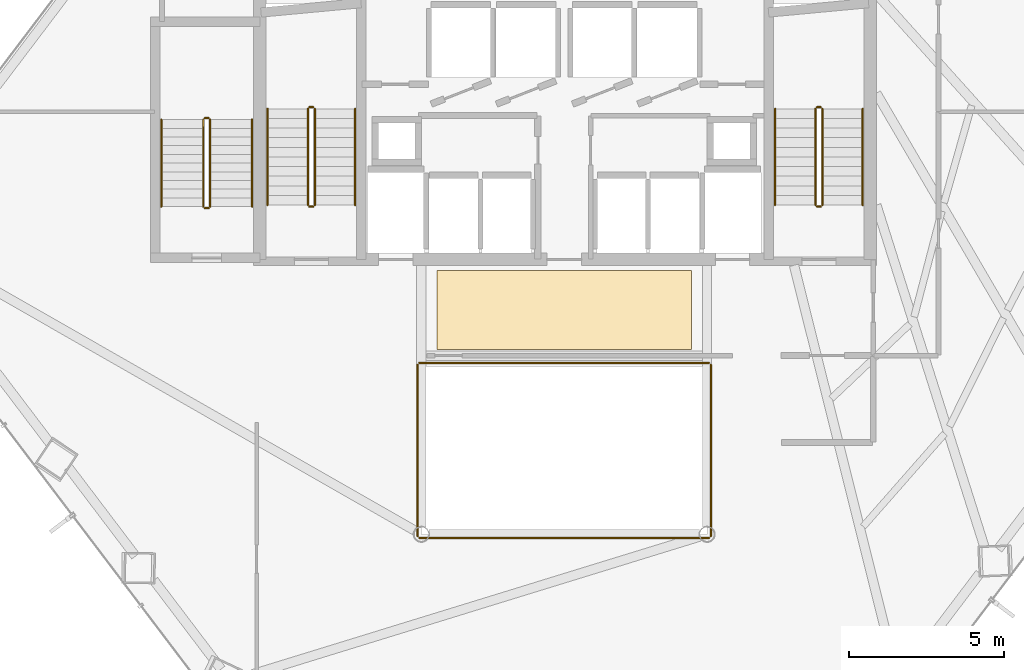
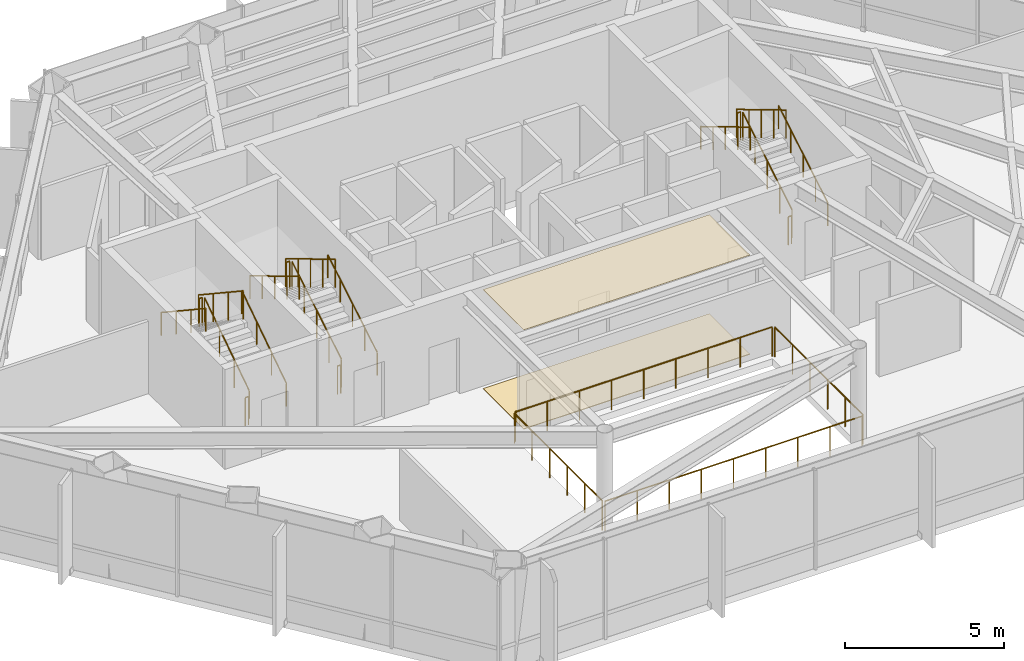
# One storey, part 26 of 26: 22 railings, 2 coverings.
"""IFC4 building model written with IfcOpenShell, lengths in metres."""

import ifcopenshell
import ifcopenshell.guid

model = None  # the IFC model being written
_history = None  # IfcOwnerHistory: only IFC2X3 demands one
_inside = {}  # id of a spatial element -> (the spatial element, [elements in it])
_under = {}  # id of a project, library or spatial element -> (it, [spatial elements below it])
_declared = {}  # id of a project -> (the project, [libraries it declares])
_typed = {}  # id of a type object -> (the type object, [elements of that type])
_made_of = {}  # id of a material, layer set ... -> (it, [elements and type objects made of it])


def new_model(schema):
    """Start an empty IFC model of exactly this schema.

    Asked for "IFC4X3", IfcOpenShell would pick the latest addendum, in which some entities
    have other attributes; the version numbers below select the first issue.
    IFC2X3 requires an IfcOwnerHistory on every rooted entity: one is made here for all.
    """
    global model, _history
    if schema == "IFC4X3":
        model = ifcopenshell.file(schema_version=(4, 3, 0, 0))
    else:
        model = ifcopenshell.file(schema=schema)
    _inside.clear()
    _under.clear()
    _declared.clear()
    _typed.clear()
    _made_of.clear()
    _history = None
    if model.schema == "IFC2X3":
        org = make("IfcOrganization", Name="unknown")
        user = make(
            "IfcPersonAndOrganization",
            ThePerson=make("IfcPerson", FamilyName="unknown"),
            TheOrganization=org,
        )
        app = make(
            "IfcApplication",
            ApplicationDeveloper=org,
            Version="unknown",
            ApplicationFullName="unknown",
            ApplicationIdentifier="unknown",
        )
        _history = make(
            "IfcOwnerHistory",
            OwningUser=user,
            OwningApplication=app,
            ChangeAction="ADDED",
            CreationDate=0,
        )
    return model


def make(cls, **values):
    """One entity of the class cls with the attributes given. An attribute that is None is left unset."""
    return model.create_entity(
        cls, **{name: value for name, value in values.items() if value is not None}
    )


def rooted(cls, **values):
    """An entity with a GlobalId (a new one), such as an element, a storey or a relation."""
    return make(cls, GlobalId=ifcopenshell.guid.new(), OwnerHistory=_history, **values)


def si_unit(unit_type, name, prefix=None):
    """IfcSIUnit, for example si_unit("LENGTHUNIT", "METRE", prefix="MILLI")."""
    return make("IfcSIUnit", UnitType=unit_type, Prefix=prefix, Name=name)


def assignment(units):
    """IfcUnitAssignment: the units of a project."""
    return None if units is None else make("IfcUnitAssignment", Units=units)


def point(xyz):
    """IfcCartesianPoint."""
    return None if xyz is None else make("IfcCartesianPoint", Coordinates=xyz)


def direction(xyz):
    """IfcDirection."""
    return None if xyz is None else make("IfcDirection", DirectionRatios=xyz)


def frame(location, z_axis=None, x_axis=None):
    """IfcAxis2Placement3D, a coordinate frame: its origin and axes. An axis left out is left unset."""
    return make(
        "IfcAxis2Placement3D",
        Location=point(location),
        Axis=direction(z_axis),
        RefDirection=direction(x_axis),
    )


def frame_2d(location, x_axis=None):
    """IfcAxis2Placement2D, a coordinate frame in the plane: its origin and x axis."""
    return make(
        "IfcAxis2Placement2D", Location=point(location), RefDirection=direction(x_axis)
    )


def origin():
    """The frame at (0, 0, 0) with its axes left unset."""
    return frame((0.0, 0.0, 0.0))


def origin_2d():
    """The frame at (0, 0) in the plane with its x axis left unset."""
    return frame_2d((0.0, 0.0))


def place(relative_to, where):
    """IfcLocalPlacement: puts the frame where relative to a parent placement (None: the world)."""
    return make(
        "IfcLocalPlacement", PlacementRelTo=relative_to, RelativePlacement=where
    )


def context(
    kind, dimensions, precision=None, world=None, true_north=None, identifier=None
):
    """IfcGeometricRepresentationContext, for example the 3D "Model" context."""
    return make(
        "IfcGeometricRepresentationContext",
        ContextIdentifier=identifier,
        ContextType=kind,
        CoordinateSpaceDimension=dimensions,
        Precision=precision,
        WorldCoordinateSystem=world,
        TrueNorth=true_north,
    )


def subcontext(parent, identifier, kind, view, scale=None):
    """IfcGeometricRepresentationSubContext, for example "Body" below "Model"."""
    return make(
        "IfcGeometricRepresentationSubContext",
        ContextIdentifier=identifier,
        ContextType=kind,
        ParentContext=parent,
        TargetScale=scale,
        TargetView=view,
    )


def project(units=None, contexts=None):
    """IfcProject with its units and contexts."""
    return rooted(
        "IfcProject",
        Name="project",
        RepresentationContexts=contexts,
        UnitsInContext=assignment(units),
    )


def spatial(cls, under=None, at=None, **own):
    """A site, building, storey or space (cls), placed at a placement, below another one or the project."""
    s = rooted(cls, ObjectPlacement=at, **own)
    if under is not None:
        _under.setdefault(under.id(), (under, []))[1].append(s)
    return s


def polyline(points):
    """IfcPolyline through the points."""
    return make("IfcPolyline", Points=[point(p) for p in points])


def profile(cls, at=None, kind="AREA", **sizes):
    """A parametric profile (cls). Its sizes go by their IFC names, for example OverallWidth=200.0."""
    return make(cls, ProfileType=kind, Position=at, **sizes)


def circle(**sizes):
    """IfcCircleProfileDef."""
    return profile("IfcCircleProfileDef", **sizes)


def outline(outer, holes=None, kind="AREA"):
    """IfcArbitraryClosedProfileDef: a profile drawn as a closed curve; with holes, ...WithVoids."""
    if holes is None:
        return make("IfcArbitraryClosedProfileDef", ProfileType=kind, OuterCurve=outer)
    return make(
        "IfcArbitraryProfileDefWithVoids",
        ProfileType=kind,
        OuterCurve=outer,
        InnerCurves=holes,
    )


def extrude(swept, where, along, depth):
    """IfcExtrudedAreaSolid: the profile swept, set in the frame where, extruded along a direction by depth."""
    return make(
        "IfcExtrudedAreaSolid",
        SweptArea=swept,
        Position=where,
        ExtrudedDirection=direction(along),
        Depth=depth,
    )


def shape(context_of_items, identifier, shape_type, items):
    """IfcShapeRepresentation: the items that make up one representation, for example the "Body"."""
    return make(
        "IfcShapeRepresentation",
        ContextOfItems=context_of_items,
        RepresentationIdentifier=identifier,
        RepresentationType=shape_type,
        Items=items,
    )


def material(Name=None, Category=None):
    """IfcMaterial."""
    return make("IfcMaterial", Name=Name, Category=Category)


def layer(
    of_material, thickness, ventilated=None, Name=None, Category=None, Priority=None
):
    """IfcMaterialLayer: one layer of a wall or slab, of a material (None: an air gap)."""
    return make(
        "IfcMaterialLayer",
        Material=of_material,
        LayerThickness=thickness,
        IsVentilated=ventilated,
        Name=Name,
        Category=Category,
        Priority=Priority,
    )


def layer_set(layers, Name=None):
    """IfcMaterialLayerSet."""
    return make("IfcMaterialLayerSet", MaterialLayers=layers, LayerSetName=Name)


def made_of(thing, what):
    """Note that an element or type object is made of a material, layer set ...; save() writes the relation."""
    if what is not None:
        _made_of.setdefault(what.id(), (what, []))[1].append(thing)
    return thing


def type_object(cls, material=None, **own):
    """A type object (cls), such as IfcWallType, which elements share."""
    return made_of(rooted(cls, **own), material)


def element(
    cls,
    number,
    at=None,
    inside=None,
    cuts=None,
    type_object=None,
    material=None,
    context=None,
    identifier="Body",
    shape_type=None,
    held_by="IfcProductDefinitionShape",
    body=None,
    shapes=None,
    **own,
):
    """One element of the class cls, such as IfcWall. Its Tag is "e" and its number.

    at: its placement. inside: the storey or other place that contains it. cuts: it is an
    opening in that element (IfcRelVoidsElement). A single representation is given by context,
    identifier, shape_type and body (its items); several are given by shapes. held_by: the class
    of the entity that holds the representations. save() writes the other relations.
    """
    e = rooted(cls, Tag="e%d" % number, ObjectPlacement=at, **own)
    if body is not None:
        shapes = [shape(context, identifier, shape_type, body)]
    if shapes is not None:
        e.Representation = make(held_by, Representations=shapes)
    if inside is not None:
        _inside.setdefault(inside.id(), (inside, []))[1].append(e)
    if cuts is not None:
        rooted(
            "IfcRelVoidsElement", RelatingBuildingElement=cuts, RelatedOpeningElement=e
        )
    if type_object is not None:
        _typed.setdefault(type_object.id(), (type_object, []))[1].append(e)
    return made_of(e, material)


def aggregate(whole, parts):
    """IfcRelAggregates: a whole, such as a stair, and the parts it consists of."""
    return rooted("IfcRelAggregates", RelatingObject=whole, RelatedObjects=parts)


def save(model, path):
    """Write the relations noted so far, then the file.

    IfcRelAggregates (storeys below a building ...), IfcRelContainedInSpatialStructure (elements
    in a storey), IfcRelDefinesByType, IfcRelAssociatesMaterial and IfcRelDeclares: one each for
    every whole, place, type object, material and project.
    """
    for whole, parts in _under.values():
        aggregate(whole, parts)
    for where, things in _inside.values():
        rooted(
            "IfcRelContainedInSpatialStructure",
            RelatedElements=things,
            RelatingStructure=where,
        )
    for kind, things in _typed.values():
        rooted("IfcRelDefinesByType", RelatedObjects=things, RelatingType=kind)
    for what, things in _made_of.values():
        rooted("IfcRelAssociatesMaterial", RelatedObjects=things, RelatingMaterial=what)
    for by, libraries in _declared.values():
        rooted("IfcRelDeclares", RelatingContext=by, RelatedDefinitions=libraries)
    model.write(path)


model = new_model("IFC4")

# Units and contexts
model_context = context("Model", 3, precision=1e-05, world=origin(), true_north=direction((0.0, 1.0)))
body_context = subcontext(model_context, "Body", "Model", "MODEL_VIEW")
ifc_project = project(units=[si_unit("LENGTHUNIT", "METRE"), si_unit("AREAUNIT", "SQUARE_METRE"), si_unit("VOLUMEUNIT", "CUBIC_METRE"), si_unit("PLANEANGLEUNIT", "RADIAN"), si_unit("MASSUNIT", "GRAM", prefix="KILO")], contexts=[model_context])

# Site, building, storey
site_placement = place(None, origin())
site = spatial("IfcSite", under=ifc_project, at=site_placement, CompositionType="ELEMENT")
building_placement = place(site_placement, origin())
building = spatial("IfcBuilding", under=site, at=building_placement, Name="Zarrinselat Tower", CompositionType="ELEMENT")
storey_placement = place(building_placement, frame((0.0, 0.0, 35.699951171875)))
storey = spatial("IfcBuildingStorey", under=building, at=storey_placement, Name="L08", CompositionType="ELEMENT", Elevation=35.699951171875)

# Coverings
ifc_material_1 = material(Name="Fire-Rated Gypsum Board Partition")
ifc_layer_1 = layer(ifc_material_1, 0.014892578125)
ifc_layer_set_1 = layer_set([ifc_layer_1], Name="Fire-Rated Gypsum Board Partition")
covering_type_1 = type_object("IfcCoveringType", Name="COV-CLG-AC15", PredefinedType="CEILING", material=ifc_layer_set_1)
covering_1_placement = place(storey_placement, frame((0.0, 0.0, 3.804931640625)))
element("IfcCovering", 1, at=covering_1_placement, inside=storey, type_object=covering_type_1, Name="L08 Lift Lobby Acoustic Ceiling", PredefinedType="CEILING", context=body_context, shape_type="SweptSolid", body=[
    extrude(outline(polyline([(34.300048828125, 30.35009765625), (42.5, 30.35009765625), (42.5, 32.89990234375), (34.300048828125, 32.89990234375), (34.300048828125, 30.35009765625)])), origin(), (0.0, 0.0, 1.0), 0.01513671875),
])
ifc_material_2 = material(Name="Honed Cream Travertine Stone", Category="masonry")
ifc_layer_2 = layer(ifc_material_2, 0.02490234375)
ifc_layer_set_2 = layer_set([ifc_layer_2], Name="Honed Cream Travertine Stone")
covering_type_2 = type_object("IfcCoveringType", Name="COV-FLR-ST25", PredefinedType="FLOORING", material=ifc_layer_set_2)
covering_2_placement = place(storey_placement, origin())
element("IfcCovering", 2, at=covering_2_placement, inside=storey, type_object=covering_type_2, Name="L08 Lift Lobby Stone Flooring", PredefinedType="FLOORING", context=body_context, shape_type="SweptSolid", body=[
    extrude(outline(polyline([(34.300048828125, 30.35009765625), (42.5, 30.35009765625), (42.5, 32.89990234375), (34.300048828125, 32.89990234375), (34.300048828125, 30.35009765625)])), origin(), (0.0, 0.0, 1.0), 0.025146484375),
])

# Railings
ifc_material_3 = material(Name="Double Low-E Laminated Solar Glass", Category="glass")
railing_type_1 = type_object("IfcRailingType", Name="RLG-ATRIUM-BAL", PredefinedType="BALUSTRADE", material=ifc_material_3)
railing_1_placement = place(storey_placement, frame((33.739990234375, 24.280029296875, 0.0)))
element("IfcRailing", 3, at=railing_1_placement, inside=storey, type_object=railing_type_1, Name="L08 Atrium Void Glass Balustrade S", PredefinedType="BALUSTRADE", context=body_context, shape_type="SweptSolid", body=[
    extrude(circle(Radius=0.02392578125, at=origin_2d()), frame((0.0, 0.0, 1.1259765625), z_axis=(1.0, 0.0, 0.0), x_axis=(0.0, 1.0, 0.0)), (0.0, 0.0, 1.0), 9.320068359375),
    extrude(circle(Radius=0.02099609375, at=origin_2d()), origin(), (0.0, 0.0, 1.0), 1.099853515625),
    extrude(circle(Radius=0.02099609375, at=origin_2d()), frame((1.1650390625, 0.0, 0.0)), (0.0, 0.0, 1.0), 1.099853515625),
    extrude(circle(Radius=0.02099609375, at=origin_2d()), frame((2.330078125, 0.0, 0.0)), (0.0, 0.0, 1.0), 1.099853515625),
    extrude(circle(Radius=0.02099609375, at=origin_2d()), frame((3.4951171875, 0.0, 0.0)), (0.0, 0.0, 1.0), 1.099853515625),
    extrude(circle(Radius=0.02099609375, at=origin_2d()), frame((4.66015625, 0.0, 0.0)), (0.0, 0.0, 1.0), 1.099853515625),
    extrude(circle(Radius=0.02099609375, at=origin_2d()), frame((5.824951171875, 0.0, 0.0)), (0.0, 0.0, 1.0), 1.099853515625),
    extrude(circle(Radius=0.02099609375, at=origin_2d()), frame((6.989990234375, 0.0, 0.0)), (0.0, 0.0, 1.0), 1.099853515625),
    extrude(circle(Radius=0.02099609375, at=origin_2d()), frame((8.155029296875, 0.0, 0.0)), (0.0, 0.0, 1.0), 1.099853515625),
    extrude(circle(Radius=0.02099609375, at=origin_2d()), frame((9.320068359375, 0.0, 0.0)), (0.0, 0.0, 1.0), 1.099853515625),
])
railing_2_placement = place(storey_placement, frame((43.1201171875, 24.340087890625, 0.0)))
element("IfcRailing", 4, at=railing_2_placement, inside=storey, type_object=railing_type_1, Name="L08 Atrium Void Glass Balustrade E", PredefinedType="BALUSTRADE", context=body_context, shape_type="SweptSolid", body=[
    extrude(circle(Radius=0.02392578125, at=origin_2d()), frame((0.0, 0.0, 1.1259765625), z_axis=(0.0, 1.0, 0.0), x_axis=(-1.0, 0.0, 0.0)), (0.0, 0.0, 1.0), 5.52001953125),
    extrude(circle(Radius=0.02099609375, at=origin_2d()), origin(), (0.0, 0.0, 1.0), 1.099853515625),
    extrude(circle(Radius=0.02099609375, at=origin_2d()), frame((0.0, 1.10400390625, 0.0)), (0.0, 0.0, 1.0), 1.099853515625),
    extrude(circle(Radius=0.02099609375, at=origin_2d()), frame((0.0, 2.2080078125, 0.0)), (0.0, 0.0, 1.0), 1.099853515625),
    extrude(circle(Radius=0.02099609375, at=origin_2d()), frame((0.0, 3.31201171875, 0.0)), (0.0, 0.0, 1.0), 1.099853515625),
    extrude(circle(Radius=0.02099609375, at=origin_2d()), frame((0.0, 4.416015625, 0.0)), (0.0, 0.0, 1.0), 1.099853515625),
    extrude(circle(Radius=0.02099609375, at=origin_2d()), frame((0.0, 5.52001953125, 0.0)), (0.0, 0.0, 1.0), 1.099853515625),
])
railing_3_placement = place(storey_placement, frame((43.06005859375, 29.919921875, 0.0)))
element("IfcRailing", 5, at=railing_3_placement, inside=storey, type_object=railing_type_1, Name="L08 Atrium Void Glass Balustrade N", PredefinedType="BALUSTRADE", context=body_context, shape_type="SweptSolid", body=[
    extrude(circle(Radius=0.02392578125, at=origin_2d()), frame((0.0, 0.0, 1.1259765625), z_axis=(-1.0, 0.0, 0.0), x_axis=(0.0, -1.0, 0.0)), (0.0, 0.0, 1.0), 9.320068359375),
    extrude(circle(Radius=0.02099609375, at=origin_2d()), origin(), (0.0, 0.0, 1.0), 1.099853515625),
    extrude(circle(Radius=0.02099609375, at=origin_2d()), frame((-1.1650390625, 0.0, 0.0)), (0.0, 0.0, 1.0), 1.099853515625),
    extrude(circle(Radius=0.02099609375, at=origin_2d()), frame((-2.330078125, 0.0, 0.0)), (0.0, 0.0, 1.0), 1.099853515625),
    extrude(circle(Radius=0.02099609375, at=origin_2d()), frame((-3.4951171875, 0.0, 0.0)), (0.0, 0.0, 1.0), 1.099853515625),
    extrude(circle(Radius=0.02099609375, at=origin_2d()), frame((-4.66015625, 0.0, 0.0)), (0.0, 0.0, 1.0), 1.099853515625),
    extrude(circle(Radius=0.02099609375, at=origin_2d()), frame((-5.824951171875, 0.0, 0.0)), (0.0, 0.0, 1.0), 1.099853515625),
    extrude(circle(Radius=0.02099609375, at=origin_2d()), frame((-6.989990234375, 0.0, 0.0)), (0.0, 0.0, 1.0), 1.099853515625),
    extrude(circle(Radius=0.02099609375, at=origin_2d()), frame((-8.155029296875, 0.0, 0.0)), (0.0, 0.0, 1.0), 1.099853515625),
    extrude(circle(Radius=0.02099609375, at=origin_2d()), frame((-9.320068359375, 0.0, 0.0)), (0.0, 0.0, 1.0), 1.099853515625),
])
railing_4_placement = place(storey_placement, frame((33.679931640625, 29.860107421875, 0.0)))
element("IfcRailing", 6, at=railing_4_placement, inside=storey, type_object=railing_type_1, Name="L08 Atrium Void Glass Balustrade W", PredefinedType="BALUSTRADE", context=body_context, shape_type="SweptSolid", body=[
    extrude(circle(Radius=0.02392578125, at=origin_2d()), frame((0.0, 0.0, 1.1259765625), z_axis=(0.0, -1.0, 0.0), x_axis=(1.0, 0.0, 0.0)), (0.0, 0.0, 1.0), 5.52001953125),
    extrude(circle(Radius=0.02099609375, at=origin_2d()), origin(), (0.0, 0.0, 1.0), 1.099853515625),
    extrude(circle(Radius=0.02099609375, at=origin_2d()), frame((0.0, -1.10400390625, 0.0)), (0.0, 0.0, 1.0), 1.099853515625),
    extrude(circle(Radius=0.02099609375, at=origin_2d()), frame((0.0, -2.2080078125, 0.0)), (0.0, 0.0, 1.0), 1.099853515625),
    extrude(circle(Radius=0.02099609375, at=origin_2d()), frame((0.0, -3.31201171875, 0.0)), (0.0, 0.0, 1.0), 1.099853515625),
    extrude(circle(Radius=0.02099609375, at=origin_2d()), frame((0.0, -4.416015625, 0.0)), (0.0, 0.0, 1.0), 1.099853515625),
    extrude(circle(Radius=0.02099609375, at=origin_2d()), frame((0.0, -5.52001953125, 0.0)), (0.0, 0.0, 1.0), 1.099853515625),
])
ifc_material_4 = material(Name="Steel S355J2", Category="steel")
railing_type_2 = type_object("IfcRailingType", Name="RLG-STAIR-GUARD", PredefinedType="GUARDRAIL", material=ifc_material_4)
railing_5_placement = place(storey_placement, frame((30.3701171875, 35.0, 0.185546875)))
element("IfcRailing", 7, at=railing_5_placement, inside=storey, type_object=railing_type_2, Name="L08 ST-1 stair guard 1", PredefinedType="GUARDRAIL", context=body_context, shape_type="SweptSolid", body=[
    extrude(circle(Radius=0.02392578125, at=origin_2d()), frame((0.0, 0.0, 1.076171875), z_axis=(0.0, 0.858171985069, 0.513362293163), x_axis=(-1.0, 0.0, 0.0)), (0.0, 0.0, 1.0), 3.612548828125),
    extrude(circle(Radius=0.02099609375, at=origin_2d()), origin(), (0.0, 0.0, 1.0), 1.050048828125),
    extrude(circle(Radius=0.02099609375, at=origin_2d()), frame((0.0, 0.77490234375, 0.463623046875)), (0.0, 0.0, 1.0), 1.050048828125),
    extrude(circle(Radius=0.02099609375, at=origin_2d()), frame((0.0, 1.550048828125, 0.92724609375)), (0.0, 0.0, 1.0), 1.050048828125),
    extrude(circle(Radius=0.02099609375, at=origin_2d()), frame((0.0, 2.3251953125, 1.390869140625)), (0.0, 0.0, 1.0), 1.050048828125),
    extrude(circle(Radius=0.02099609375, at=origin_2d()), frame((0.0, 3.10009765625, 1.8544921875)), (0.0, 0.0, 1.0), 1.050048828125),
])
railing_6_placement = place(storey_placement, frame((30.320068359375, 38.14990234375, 2.0400390625)))
element("IfcRailing", 8, at=railing_6_placement, inside=storey, type_object=railing_type_2, Name="L08 ST-1 stair guard 2", PredefinedType="GUARDRAIL", context=body_context, shape_type="SweptSolid", body=[
    extrude(circle(Radius=0.02392578125, at=origin_2d()), frame((0.0, 0.0, 1.076171875), z_axis=(-1.0, 0.0, 0.0), x_axis=(0.0, -1.0, 0.0)), (0.0, 0.0, 1.0), 0.1201171875),
    extrude(circle(Radius=0.02099609375, at=origin_2d()), origin(), (0.0, 0.0, 1.0), 1.050048828125),
    extrude(circle(Radius=0.02099609375, at=origin_2d()), frame((-0.1201171875, 0.0, 0.0)), (0.0, 0.0, 1.0), 1.050048828125),
])
railing_7_placement = place(storey_placement, frame((30.14990234375, 38.10009765625, 2.2255859375)))
element("IfcRailing", 9, at=railing_7_placement, inside=storey, type_object=railing_type_2, Name="L08 ST-1 stair guard 3", PredefinedType="GUARDRAIL", context=body_context, shape_type="SweptSolid", body=[
    extrude(circle(Radius=0.02392578125, at=origin_2d()), frame((0.0, 0.0, 1.076171875), z_axis=(0.0, -0.858171985069, 0.513362293163), x_axis=(1.0, 0.0, 0.0)), (0.0, 0.0, 1.0), 3.612548828125),
    extrude(circle(Radius=0.02099609375, at=origin_2d()), origin(), (0.0, 0.0, 1.0), 1.050048828125),
    extrude(circle(Radius=0.02099609375, at=origin_2d()), frame((0.0, -0.77490234375, 0.463623046875)), (0.0, 0.0, 1.0), 1.050048828125),
    extrude(circle(Radius=0.02099609375, at=origin_2d()), frame((0.0, -1.550048828125, 0.92724609375)), (0.0, 0.0, 1.0), 1.050048828125),
    extrude(circle(Radius=0.02099609375, at=origin_2d()), frame((0.0, -2.3251953125, 1.390869140625)), (0.0, 0.0, 1.0), 1.050048828125),
    extrude(circle(Radius=0.02099609375, at=origin_2d()), frame((0.0, -3.10009765625, 1.8544921875)), (0.0, 0.0, 1.0), 1.050048828125),
])
railing_8_placement = place(storey_placement, frame((30.320068359375, 34.949951171875, 0.0)))
element("IfcRailing", 10, at=railing_8_placement, inside=storey, type_object=railing_type_2, Name="L08 ST-1 stair guard 4", PredefinedType="GUARDRAIL", context=body_context, shape_type="SweptSolid", body=[
    extrude(circle(Radius=0.02392578125, at=origin_2d()), frame((0.0, 0.0, 1.076171875), z_axis=(-1.0, 0.0, 0.0), x_axis=(0.0, -1.0, 0.0)), (0.0, 0.0, 1.0), 0.1201171875),
    extrude(circle(Radius=0.02099609375, at=origin_2d()), origin(), (0.0, 0.0, 1.0), 1.050048828125),
    extrude(circle(Radius=0.02099609375, at=origin_2d()), frame((-0.1201171875, 0.0, 0.0)), (0.0, 0.0, 1.0), 1.050048828125),
])
railing_9_placement = place(storey_placement, frame((46.7099609375, 35.0, 0.185546875)))
element("IfcRailing", 11, at=railing_9_placement, inside=storey, type_object=railing_type_2, Name="L08 ST-2 stair guard 1", PredefinedType="GUARDRAIL", context=body_context, shape_type="SweptSolid", body=[
    extrude(circle(Radius=0.02392578125, at=origin_2d()), frame((0.0, 0.0, 1.076171875), z_axis=(0.0, 0.858171985069, 0.513362293163), x_axis=(-1.0, 0.0, 0.0)), (0.0, 0.0, 1.0), 3.612548828125),
    extrude(circle(Radius=0.02099609375, at=origin_2d()), origin(), (0.0, 0.0, 1.0), 1.050048828125),
    extrude(circle(Radius=0.02099609375, at=origin_2d()), frame((0.0, 0.77490234375, 0.463623046875)), (0.0, 0.0, 1.0), 1.050048828125),
    extrude(circle(Radius=0.02099609375, at=origin_2d()), frame((0.0, 1.550048828125, 0.92724609375)), (0.0, 0.0, 1.0), 1.050048828125),
    extrude(circle(Radius=0.02099609375, at=origin_2d()), frame((0.0, 2.3251953125, 1.390869140625)), (0.0, 0.0, 1.0), 1.050048828125),
    extrude(circle(Radius=0.02099609375, at=origin_2d()), frame((0.0, 3.10009765625, 1.8544921875)), (0.0, 0.0, 1.0), 1.050048828125),
])
railing_10_placement = place(storey_placement, frame((46.659912109375, 38.14990234375, 2.0400390625)))
element("IfcRailing", 12, at=railing_10_placement, inside=storey, type_object=railing_type_2, Name="L08 ST-2 stair guard 2", PredefinedType="GUARDRAIL", context=body_context, shape_type="SweptSolid", body=[
    extrude(circle(Radius=0.02392578125, at=origin_2d()), frame((0.0, 0.0, 1.076171875), z_axis=(-1.0, 0.0, 0.0), x_axis=(0.0, -1.0, 0.0)), (0.0, 0.0, 1.0), 0.119873046875),
    extrude(circle(Radius=0.02099609375, at=origin_2d()), origin(), (0.0, 0.0, 1.0), 1.050048828125),
    extrude(circle(Radius=0.02099609375, at=origin_2d()), frame((-0.119873046875, 0.0, 0.0)), (0.0, 0.0, 1.0), 1.050048828125),
])
railing_11_placement = place(storey_placement, frame((46.489990234375, 38.10009765625, 2.2255859375)))
element("IfcRailing", 13, at=railing_11_placement, inside=storey, type_object=railing_type_2, Name="L08 ST-2 stair guard 3", PredefinedType="GUARDRAIL", context=body_context, shape_type="SweptSolid", body=[
    extrude(circle(Radius=0.02392578125, at=origin_2d()), frame((0.0, 0.0, 1.076171875), z_axis=(0.0, -0.858171985069, 0.513362293163), x_axis=(1.0, 0.0, 0.0)), (0.0, 0.0, 1.0), 3.612548828125),
    extrude(circle(Radius=0.02099609375, at=origin_2d()), origin(), (0.0, 0.0, 1.0), 1.050048828125),
    extrude(circle(Radius=0.02099609375, at=origin_2d()), frame((0.0, -0.77490234375, 0.463623046875)), (0.0, 0.0, 1.0), 1.050048828125),
    extrude(circle(Radius=0.02099609375, at=origin_2d()), frame((0.0, -1.550048828125, 0.92724609375)), (0.0, 0.0, 1.0), 1.050048828125),
    extrude(circle(Radius=0.02099609375, at=origin_2d()), frame((0.0, -2.3251953125, 1.390869140625)), (0.0, 0.0, 1.0), 1.050048828125),
    extrude(circle(Radius=0.02099609375, at=origin_2d()), frame((0.0, -3.10009765625, 1.8544921875)), (0.0, 0.0, 1.0), 1.050048828125),
])
railing_12_placement = place(storey_placement, frame((46.659912109375, 34.949951171875, 0.0)))
element("IfcRailing", 14, at=railing_12_placement, inside=storey, type_object=railing_type_2, Name="L08 ST-2 stair guard 4", PredefinedType="GUARDRAIL", context=body_context, shape_type="SweptSolid", body=[
    extrude(circle(Radius=0.02392578125, at=origin_2d()), frame((0.0, 0.0, 1.076171875), z_axis=(-1.0, 0.0, 0.0), x_axis=(0.0, -1.0, 0.0)), (0.0, 0.0, 1.0), 0.119873046875),
    extrude(circle(Radius=0.02099609375, at=origin_2d()), origin(), (0.0, 0.0, 1.0), 1.050048828125),
    extrude(circle(Radius=0.02099609375, at=origin_2d()), frame((-0.119873046875, 0.0, 0.0)), (0.0, 0.0, 1.0), 1.050048828125),
])
railing_13_placement = place(storey_placement, frame((27.0, 34.949951171875, 0.185546875)))
element("IfcRailing", 15, at=railing_13_placement, inside=storey, type_object=railing_type_2, Name="L08 ST-3 stair guard 1", PredefinedType="GUARDRAIL", context=body_context, shape_type="SweptSolid", body=[
    extrude(circle(Radius=0.02392578125, at=origin_2d()), frame((0.0, 0.0, 1.076171875), z_axis=(0.0, 0.833724036255, 0.552181339209), x_axis=(-1.0, 0.0, 0.0)), (0.0, 0.0, 1.0), 3.3583984375),
    extrude(circle(Radius=0.02099609375, at=origin_2d()), origin(), (0.0, 0.0, 1.0), 1.050048828125),
    extrude(circle(Radius=0.02099609375, at=origin_2d()), frame((0.0, 0.933349609375, 0.6181640625)), (0.0, 0.0, 1.0), 1.050048828125),
    extrude(circle(Radius=0.02099609375, at=origin_2d()), frame((0.0, 1.86669921875, 1.236328125)), (0.0, 0.0, 1.0), 1.050048828125),
    extrude(circle(Radius=0.02099609375, at=origin_2d()), frame((0.0, 2.800048828125, 1.8544921875)), (0.0, 0.0, 1.0), 1.050048828125),
])
railing_14_placement = place(storey_placement, frame((26.949951171875, 37.800048828125, 2.0400390625)))
element("IfcRailing", 16, at=railing_14_placement, inside=storey, type_object=railing_type_2, Name="L08 ST-3 stair guard 2", PredefinedType="GUARDRAIL", context=body_context, shape_type="SweptSolid", body=[
    extrude(circle(Radius=0.02392578125, at=origin_2d()), frame((0.0, 0.0, 1.076171875), z_axis=(-1.0, 0.0, 0.0), x_axis=(0.0, -1.0, 0.0)), (0.0, 0.0, 1.0), 0.119873046875),
    extrude(circle(Radius=0.02099609375, at=origin_2d()), origin(), (0.0, 0.0, 1.0), 1.050048828125),
    extrude(circle(Radius=0.02099609375, at=origin_2d()), frame((-0.119873046875, 0.0, 0.0)), (0.0, 0.0, 1.0), 1.050048828125),
])
railing_15_placement = place(storey_placement, frame((26.780029296875, 37.75, 2.2255859375)))
element("IfcRailing", 17, at=railing_15_placement, inside=storey, type_object=railing_type_2, Name="L08 ST-3 stair guard 3", PredefinedType="GUARDRAIL", context=body_context, shape_type="SweptSolid", body=[
    extrude(circle(Radius=0.02392578125, at=origin_2d()), frame((0.0, 0.0, 1.076171875), z_axis=(0.0, -0.833724036255, 0.552181339209), x_axis=(1.0, 0.0, 0.0)), (0.0, 0.0, 1.0), 3.3583984375),
    extrude(circle(Radius=0.02099609375, at=origin_2d()), origin(), (0.0, 0.0, 1.0), 1.050048828125),
    extrude(circle(Radius=0.02099609375, at=origin_2d()), frame((0.0, -0.933349609375, 0.6181640625)), (0.0, 0.0, 1.0), 1.050048828125),
    extrude(circle(Radius=0.02099609375, at=origin_2d()), frame((0.0, -1.86669921875, 1.236328125)), (0.0, 0.0, 1.0), 1.050048828125),
    extrude(circle(Radius=0.02099609375, at=origin_2d()), frame((0.0, -2.800048828125, 1.8544921875)), (0.0, 0.0, 1.0), 1.050048828125),
])
railing_16_placement = place(storey_placement, frame((26.949951171875, 34.89990234375, 0.0)))
element("IfcRailing", 18, at=railing_16_placement, inside=storey, type_object=railing_type_2, Name="L08 ST-3 stair guard 4", PredefinedType="GUARDRAIL", context=body_context, shape_type="SweptSolid", body=[
    extrude(circle(Radius=0.02392578125, at=origin_2d()), frame((0.0, 0.0, 1.076171875), z_axis=(-1.0, 0.0, 0.0), x_axis=(0.0, -1.0, 0.0)), (0.0, 0.0, 1.0), 0.119873046875),
    extrude(circle(Radius=0.02099609375, at=origin_2d()), origin(), (0.0, 0.0, 1.0), 1.050048828125),
    extrude(circle(Radius=0.02099609375, at=origin_2d()), frame((-0.119873046875, 0.0, 0.0)), (0.0, 0.0, 1.0), 1.050048828125),
])
ifc_material_5 = material(Name="Steel S355J2", Category="steel")
railing_type_3 = type_object("IfcRailingType", Name="RLG-STAIR-HAND", PredefinedType="HANDRAIL", material=ifc_material_5)
railing_17_placement = place(storey_placement, frame((31.669921875, 35.0, 0.185546875)))
element("IfcRailing", 19, at=railing_17_placement, inside=storey, type_object=railing_type_3, Name="L08 ST-1 stair handrail 1", PredefinedType="HANDRAIL", context=body_context, shape_type="SweptSolid", body=[
    extrude(circle(Radius=0.02392578125, at=origin_2d()), frame((0.0, 0.0, 0.8759765625), z_axis=(0.0, 0.858171985069, 0.513362293163), x_axis=(-1.0, 0.0, 0.0)), (0.0, 0.0, 1.0), 3.612548828125),
    extrude(circle(Radius=0.02099609375, at=origin_2d()), origin(), (0.0, 0.0, 1.0), 0.849853515625),
    extrude(circle(Radius=0.02099609375, at=origin_2d()), frame((0.0, 0.77490234375, 0.463623046875)), (0.0, 0.0, 1.0), 0.849853515625),
    extrude(circle(Radius=0.02099609375, at=origin_2d()), frame((0.0, 1.550048828125, 0.92724609375)), (0.0, 0.0, 1.0), 0.849853515625),
    extrude(circle(Radius=0.02099609375, at=origin_2d()), frame((0.0, 2.3251953125, 1.390869140625)), (0.0, 0.0, 1.0), 0.849853515625),
    extrude(circle(Radius=0.02099609375, at=origin_2d()), frame((0.0, 3.10009765625, 1.8544921875)), (0.0, 0.0, 1.0), 0.849853515625),
])
railing_18_placement = place(storey_placement, frame((28.85009765625, 38.10009765625, 2.2255859375)))
element("IfcRailing", 20, at=railing_18_placement, inside=storey, type_object=railing_type_3, Name="L08 ST-1 stair handrail 2", PredefinedType="HANDRAIL", context=body_context, shape_type="SweptSolid", body=[
    extrude(circle(Radius=0.02392578125, at=origin_2d()), frame((0.0, 0.0, 0.8759765625), z_axis=(0.0, -0.858171985069, 0.513362293163), x_axis=(1.0, 0.0, 0.0)), (0.0, 0.0, 1.0), 3.612548828125),
    extrude(circle(Radius=0.02099609375, at=origin_2d()), origin(), (0.0, 0.0, 1.0), 0.849853515625),
    extrude(circle(Radius=0.02099609375, at=origin_2d()), frame((0.0, -0.77490234375, 0.463623046875)), (0.0, 0.0, 1.0), 0.849853515625),
    extrude(circle(Radius=0.02099609375, at=origin_2d()), frame((0.0, -1.550048828125, 0.92724609375)), (0.0, 0.0, 1.0), 0.849853515625),
    extrude(circle(Radius=0.02099609375, at=origin_2d()), frame((0.0, -2.3251953125, 1.390869140625)), (0.0, 0.0, 1.0), 0.849853515625),
    extrude(circle(Radius=0.02099609375, at=origin_2d()), frame((0.0, -3.10009765625, 1.8544921875)), (0.0, 0.0, 1.0), 0.849853515625),
])
railing_19_placement = place(storey_placement, frame((48.010009765625, 35.0, 0.185546875)))
element("IfcRailing", 21, at=railing_19_placement, inside=storey, type_object=railing_type_3, Name="L08 ST-2 stair handrail 1", PredefinedType="HANDRAIL", context=body_context, shape_type="SweptSolid", body=[
    extrude(circle(Radius=0.02392578125, at=origin_2d()), frame((0.0, 0.0, 0.8759765625), z_axis=(0.0, 0.858171985069, 0.513362293163), x_axis=(-1.0, 0.0, 0.0)), (0.0, 0.0, 1.0), 3.612548828125),
    extrude(circle(Radius=0.02099609375, at=origin_2d()), origin(), (0.0, 0.0, 1.0), 0.849853515625),
    extrude(circle(Radius=0.02099609375, at=origin_2d()), frame((0.0, 0.77490234375, 0.463623046875)), (0.0, 0.0, 1.0), 0.849853515625),
    extrude(circle(Radius=0.02099609375, at=origin_2d()), frame((0.0, 1.550048828125, 0.92724609375)), (0.0, 0.0, 1.0), 0.849853515625),
    extrude(circle(Radius=0.02099609375, at=origin_2d()), frame((0.0, 2.3251953125, 1.390869140625)), (0.0, 0.0, 1.0), 0.849853515625),
    extrude(circle(Radius=0.02099609375, at=origin_2d()), frame((0.0, 3.10009765625, 1.8544921875)), (0.0, 0.0, 1.0), 0.849853515625),
])
railing_20_placement = place(storey_placement, frame((45.18994140625, 38.10009765625, 2.2255859375)))
element("IfcRailing", 22, at=railing_20_placement, inside=storey, type_object=railing_type_3, Name="L08 ST-2 stair handrail 2", PredefinedType="HANDRAIL", context=body_context, shape_type="SweptSolid", body=[
    extrude(circle(Radius=0.02392578125, at=origin_2d()), frame((0.0, 0.0, 0.8759765625), z_axis=(0.0, -0.858171985069, 0.513362293163), x_axis=(1.0, 0.0, 0.0)), (0.0, 0.0, 1.0), 3.612548828125),
    extrude(circle(Radius=0.02099609375, at=origin_2d()), origin(), (0.0, 0.0, 1.0), 0.849853515625),
    extrude(circle(Radius=0.02099609375, at=origin_2d()), frame((0.0, -0.77490234375, 0.463623046875)), (0.0, 0.0, 1.0), 0.849853515625),
    extrude(circle(Radius=0.02099609375, at=origin_2d()), frame((0.0, -1.550048828125, 0.92724609375)), (0.0, 0.0, 1.0), 0.849853515625),
    extrude(circle(Radius=0.02099609375, at=origin_2d()), frame((0.0, -2.3251953125, 1.390869140625)), (0.0, 0.0, 1.0), 0.849853515625),
    extrude(circle(Radius=0.02099609375, at=origin_2d()), frame((0.0, -3.10009765625, 1.8544921875)), (0.0, 0.0, 1.0), 0.849853515625),
])
railing_21_placement = place(storey_placement, frame((28.35009765625, 34.949951171875, 0.185546875)))
element("IfcRailing", 23, at=railing_21_placement, inside=storey, type_object=railing_type_3, Name="L08 ST-3 stair handrail 1", PredefinedType="HANDRAIL", context=body_context, shape_type="SweptSolid", body=[
    extrude(circle(Radius=0.02392578125, at=origin_2d()), frame((0.0, 0.0, 0.8759765625), z_axis=(0.0, 0.833724036255, 0.552181339209), x_axis=(-1.0, 0.0, 0.0)), (0.0, 0.0, 1.0), 3.3583984375),
    extrude(circle(Radius=0.02099609375, at=origin_2d()), origin(), (0.0, 0.0, 1.0), 0.849853515625),
    extrude(circle(Radius=0.02099609375, at=origin_2d()), frame((0.0, 0.933349609375, 0.6181640625)), (0.0, 0.0, 1.0), 0.849853515625),
    extrude(circle(Radius=0.02099609375, at=origin_2d()), frame((0.0, 1.86669921875, 1.236328125)), (0.0, 0.0, 1.0), 0.849853515625),
    extrude(circle(Radius=0.02099609375, at=origin_2d()), frame((0.0, 2.800048828125, 1.8544921875)), (0.0, 0.0, 1.0), 0.849853515625),
])
railing_22_placement = place(storey_placement, frame((25.429931640625, 37.75, 2.2255859375)))
element("IfcRailing", 24, at=railing_22_placement, inside=storey, type_object=railing_type_3, Name="L08 ST-3 stair handrail 2", PredefinedType="HANDRAIL", context=body_context, shape_type="SweptSolid", body=[
    extrude(circle(Radius=0.02392578125, at=origin_2d()), frame((0.0, 0.0, 0.8759765625), z_axis=(0.0, -0.833724036255, 0.552181339209), x_axis=(1.0, 0.0, 0.0)), (0.0, 0.0, 1.0), 3.3583984375),
    extrude(circle(Radius=0.02099609375, at=origin_2d()), origin(), (0.0, 0.0, 1.0), 0.849853515625),
    extrude(circle(Radius=0.02099609375, at=origin_2d()), frame((0.0, -0.933349609375, 0.6181640625)), (0.0, 0.0, 1.0), 0.849853515625),
    extrude(circle(Radius=0.02099609375, at=origin_2d()), frame((0.0, -1.86669921875, 1.236328125)), (0.0, 0.0, 1.0), 0.849853515625),
    extrude(circle(Radius=0.02099609375, at=origin_2d()), frame((0.0, -2.800048828125, 1.8544921875)), (0.0, 0.0, 1.0), 0.849853515625),
])

save(model, "model.ifc")
